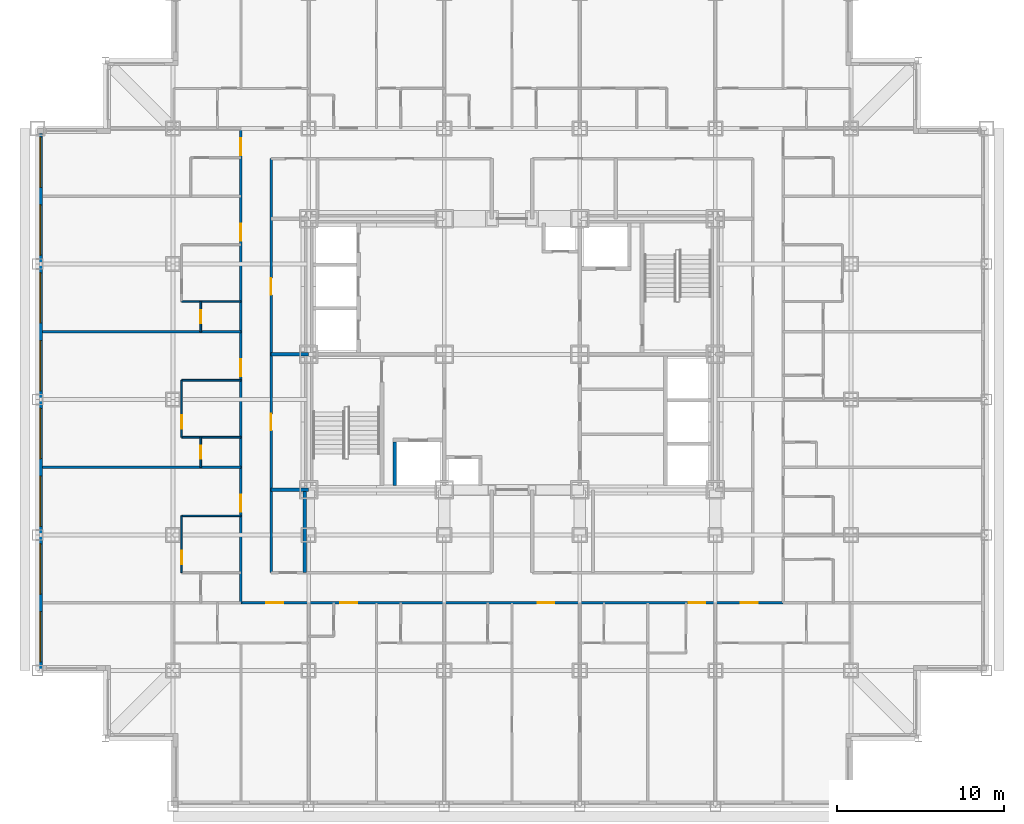
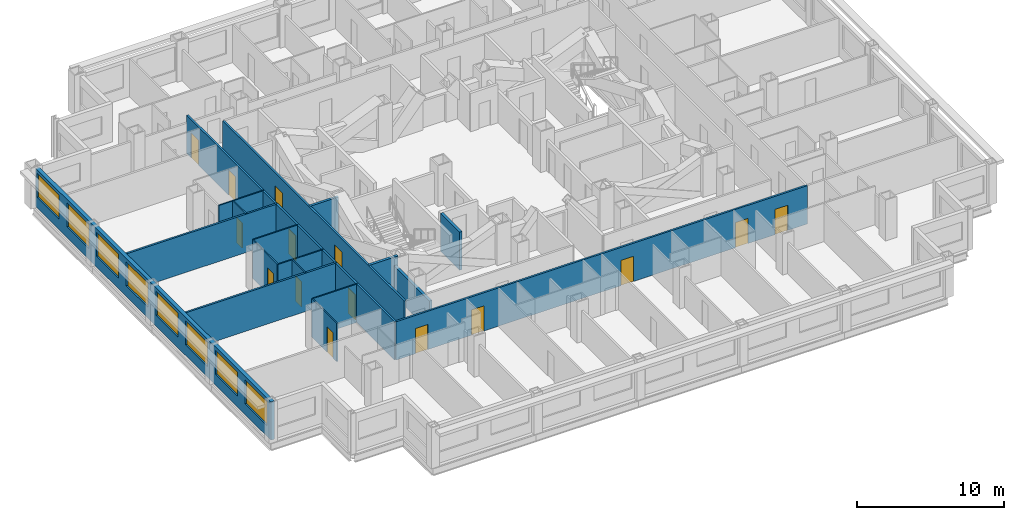
# One storey, part 5 of 12: 18 walls, 15 doors, 8 windows, 23 openings.
"""IFC4 building model written with IfcOpenShell, lengths in metres."""

from ifc_helpers import new_model, si_unit, direction, frame, frame_2d, origin, place, context, subcontext, project, spatial, rectangle, extrude, material, layer, layer_set, type_object, element, fill, save


model = new_model("IFC4")

# Units and contexts
model_context = context("Model", 3, precision=1e-05, world=origin(), true_north=direction((0.0, 1.0)))
body_context = subcontext(model_context, "Body", "Model", "MODEL_VIEW")
ifc_project = project(units=[si_unit("LENGTHUNIT", "METRE"), si_unit("AREAUNIT", "SQUARE_METRE"), si_unit("VOLUMEUNIT", "CUBIC_METRE"), si_unit("PLANEANGLEUNIT", "RADIAN"), si_unit("MASSUNIT", "GRAM", prefix="KILO")], contexts=[model_context])

# Site, building, storey
site_placement = place(None, origin())
site = spatial("IfcSite", under=ifc_project, at=site_placement, CompositionType="ELEMENT")
building_placement = place(site_placement, origin())
building = spatial("IfcBuilding", under=site, at=building_placement, Name="Kopane Lantern Tower", CompositionType="ELEMENT")
storey_placement = place(building_placement, frame((0.0, 0.0, 117.0)))
storey = spatial("IfcBuildingStorey", under=building, at=storey_placement, Name="L29", CompositionType="ELEMENT", Elevation=117.0)

# Wall, opening, door
ifc_material_1 = material(Name="Moisture-resistant board on steel studs", Category="steel")
ifc_layer_1 = layer(ifc_material_1, 0.10009765625)
ifc_layer_set_1 = layer_set([ifc_layer_1], Name="BATHROOM WALL 100")
wall_type_1 = type_object("IfcWallType", Name="BATHROOM WALL 100", PredefinedType="PARTITIONING", material=ifc_layer_set_1)
wall_1_placement = place(storey_placement, frame((8.610107421875, 19.35009765625, 0.0), z_axis=(0.0, 0.0, 1.0), x_axis=(0.0, 1.0, 0.0)))
wall_1 = element("IfcWall", 1, at=wall_1_placement, inside=storey, type_object=wall_type_1, Name="Bathroom Wall 100 L29", PredefinedType="PARTITIONING", context=body_context, shape_type="SweptSolid", body=[
    extrude(rectangle(XDim=3.39990234375, YDim=0.10009765625, at=frame_2d((1.699951171875, 0.0))), origin(), (0.0, 0.0, 1.0), 3.18994140625),
])
opening_1_placement = place(wall_1_placement, frame((0.5, 0.0, 0.0)))
opening_1 = element("IfcOpeningElement", 2, at=opening_1_placement, cuts=wall_1, Name="Opening L29-035", PredefinedType="OPENING", context=body_context, shape_type="SweptSolid", body=[
    extrude(rectangle(XDim=0.800048828125, YDim=2.10009765625, at=frame_2d((0.39990234375, 1.050048828125))), frame((0.0, 0.06005859375, 0.0), z_axis=(0.0, -1.0, 0.0), x_axis=(1.0, 0.0, 0.0)), (0.0, 0.0, 1.0), 0.1201171875),
])
ifc_material_2 = material(Name="Timber door set", Category="wood")
door_type_1 = type_object("IfcDoorType", Name="DOOR D2 800x2100", OperationType="SINGLE_SWING_LEFT", PredefinedType="DOOR", material=ifc_material_2)
door_1_placement = place(opening_1_placement, origin())
door_1 = element("IfcDoor", 3, at=door_1_placement, inside=storey, type_object=door_type_1, Name="Door L29-035", OperationType="SINGLE_SWING_RIGHT", OverallHeight=2.10009765625, OverallWidth=0.800048828125, PredefinedType="DOOR", context=body_context, shape_type="SweptSolid", body=[
    extrude(rectangle(XDim=0.800048828125, YDim=2.10009765625, at=frame_2d((0.39990234375, 1.050048828125))), frame((0.0, 0.02490234375, 0.0), z_axis=(0.0, -1.0, 0.0), x_axis=(1.0, 0.0, 0.0)), (0.0, 0.0, 1.0), 0.050048828125),
])
fill(opening_1, door_1)

# Wall
wall_2_placement = place(storey_placement, frame((12.14990234375, 22.75, 0.0), z_axis=(0.0, 0.0, 1.0), x_axis=(-1.0, 0.0, 0.0)))
element("IfcWall", 4, at=wall_2_placement, inside=storey, type_object=wall_type_1, Name="Bathroom Wall 100 L29", PredefinedType="PARTITIONING", context=body_context, shape_type="SweptSolid", body=[
    extrude(rectangle(XDim=3.539794921875, YDim=0.10009765625, at=frame_2d((1.77001953125, 0.0))), origin(), (0.0, 0.0, 1.0), 3.18994140625),
])

# Wall, opening, door
wall_3_placement = place(storey_placement, frame((8.610107421875, 27.449951171875, 0.0), z_axis=(0.0, 0.0, 1.0), x_axis=(0.0, 1.0, 0.0)))
wall_3 = element("IfcWall", 5, at=wall_3_placement, inside=storey, type_object=wall_type_1, Name="Bathroom Wall 100 L29", PredefinedType="PARTITIONING", context=body_context, shape_type="SweptSolid", body=[
    extrude(rectangle(XDim=3.400146484375, YDim=0.10009765625, at=frame_2d((1.7001953125, 0.0))), origin(), (0.0, 0.0, 1.0), 3.18994140625),
])
opening_2_placement = place(wall_3_placement, frame((0.5, 0.0, 0.0)))
opening_2 = element("IfcOpeningElement", 6, at=opening_2_placement, cuts=wall_3, Name="Opening L29-038", PredefinedType="OPENING", context=body_context, shape_type="SweptSolid", body=[
    extrude(rectangle(XDim=0.800048828125, YDim=2.10009765625, at=frame_2d((0.39990234375, 1.050048828125))), frame((0.0, 0.06005859375, 0.0), z_axis=(0.0, -1.0, 0.0), x_axis=(1.0, 0.0, 0.0)), (0.0, 0.0, 1.0), 0.1201171875),
])
door_2_placement = place(opening_2_placement, origin())
door_2 = element("IfcDoor", 7, at=door_2_placement, inside=storey, type_object=door_type_1, Name="Door L29-038", OperationType="SINGLE_SWING_RIGHT", OverallHeight=2.10009765625, OverallWidth=0.800048828125, PredefinedType="DOOR", context=body_context, shape_type="SweptSolid", body=[
    extrude(rectangle(XDim=0.800048828125, YDim=2.10009765625, at=frame_2d((0.39990234375, 1.050048828125))), frame((0.0, 0.02490234375, 0.0), z_axis=(0.0, -1.0, 0.0), x_axis=(1.0, 0.0, 0.0)), (0.0, 0.0, 1.0), 0.050048828125),
])
fill(opening_2, door_2)

wall_4_placement = place(storey_placement, frame((9.75, 25.64990234375, 0.0), z_axis=(0.0, 0.0, 1.0), x_axis=(0.0, 1.0, 0.0)))
wall_4 = element("IfcWall", 8, at=wall_4_placement, inside=storey, type_object=wall_type_1, Name="Bathroom Wall 100 L29", PredefinedType="PARTITIONING", context=body_context, shape_type="SweptSolid", body=[
    extrude(rectangle(XDim=1.800048828125, YDim=0.10009765625, at=frame_2d((0.89990234375, 0.0))), origin(), (0.0, 0.0, 1.0), 3.18994140625),
])
opening_3_placement = place(wall_4_placement, frame((0.5, 0.0, 0.0)))
opening_3 = element("IfcOpeningElement", 9, at=opening_3_placement, cuts=wall_4, Name="Opening L29-039", PredefinedType="OPENING", context=body_context, shape_type="SweptSolid", body=[
    extrude(rectangle(XDim=0.800048828125, YDim=2.10009765625, at=frame_2d((0.39990234375, 1.050048828125))), frame((0.0, 0.06005859375, 0.0), z_axis=(0.0, -1.0, 0.0), x_axis=(1.0, 0.0, 0.0)), (0.0, 0.0, 1.0), 0.1201171875),
])
door_3_placement = place(opening_3_placement, origin())
door_3 = element("IfcDoor", 10, at=door_3_placement, inside=storey, type_object=door_type_1, Name="Door L29-039", OperationType="SINGLE_SWING_RIGHT", OverallHeight=2.10009765625, OverallWidth=0.800048828125, PredefinedType="DOOR", context=body_context, shape_type="SweptSolid", body=[
    extrude(rectangle(XDim=0.800048828125, YDim=2.10009765625, at=frame_2d((0.39990234375, 1.050048828125))), frame((0.0, 0.02490234375, 0.0), z_axis=(0.0, -1.0, 0.0), x_axis=(1.0, 0.0, 0.0)), (0.0, 0.0, 1.0), 0.050048828125),
])
fill(opening_3, door_3)

# Walls
for number, where, z_axis, x_axis, name in (
    (11, (12.14990234375, 27.449951171875, 0.0), (0.0, 0.0, 1.0), (-1.0, 0.0, 0.0), "Bathroom Wall 100 L29"),
    (12, (12.14990234375, 30.85009765625, 0.0), (0.0, 0.0, 1.0), (-1.0, 0.0, 0.0), "Bathroom Wall 100 L29"),
):
    element("IfcWall", number, at=place(storey_placement, frame(where, z_axis=z_axis, x_axis=x_axis)), inside=storey, type_object=wall_type_1, Name=name, PredefinedType="PARTITIONING", context=body_context, shape_type="SweptSolid", body=[
        extrude(rectangle(XDim=3.539794921875, YDim=0.10009765625, at=frame_2d((1.77001953125, 0.0))), origin(), (0.0, 0.0, 1.0), 3.18994140625),
    ])

# Wall, opening, door
wall_5_placement = place(storey_placement, frame((9.75, 33.75, 0.0), z_axis=(0.0, 0.0, 1.0), x_axis=(0.0, 1.0, 0.0)))
wall_5 = element("IfcWall", 13, at=wall_5_placement, inside=storey, type_object=wall_type_1, Name="Bathroom Wall 100 L29", PredefinedType="PARTITIONING", context=body_context, shape_type="SweptSolid", body=[
    extrude(rectangle(XDim=1.800048828125, YDim=0.10009765625, at=frame_2d((0.89990234375, 0.0))), origin(), (0.0, 0.0, 1.0), 3.18994140625),
])
opening_4_placement = place(wall_5_placement, frame((0.5, 0.0, 0.0)))
opening_4 = element("IfcOpeningElement", 14, at=opening_4_placement, cuts=wall_5, Name="Opening L29-042", PredefinedType="OPENING", context=body_context, shape_type="SweptSolid", body=[
    extrude(rectangle(XDim=0.800048828125, YDim=2.10009765625, at=frame_2d((0.39990234375, 1.050048828125))), frame((0.0, 0.06005859375, 0.0), z_axis=(0.0, -1.0, 0.0), x_axis=(1.0, 0.0, 0.0)), (0.0, 0.0, 1.0), 0.1201171875),
])
door_4_placement = place(opening_4_placement, origin())
door_4 = element("IfcDoor", 15, at=door_4_placement, inside=storey, type_object=door_type_1, Name="Door L29-042", OperationType="SINGLE_SWING_RIGHT", OverallHeight=2.10009765625, OverallWidth=0.800048828125, PredefinedType="DOOR", context=body_context, shape_type="SweptSolid", body=[
    extrude(rectangle(XDim=0.800048828125, YDim=2.10009765625, at=frame_2d((0.39990234375, 1.050048828125))), frame((0.0, 0.02490234375, 0.0), z_axis=(0.0, -1.0, 0.0), x_axis=(1.0, 0.0, 0.0)), (0.0, 0.0, 1.0), 0.050048828125),
])
fill(opening_4, door_4)

# Wall
wall_6_placement = place(storey_placement, frame((12.14990234375, 35.550048828125, 0.0), z_axis=(0.0, 0.0, 1.0), x_axis=(-1.0, 0.0, 0.0)))
element("IfcWall", 16, at=wall_6_placement, inside=storey, type_object=wall_type_1, Name="Bathroom Wall 100 L29", PredefinedType="PARTITIONING", context=body_context, shape_type="SweptSolid", body=[
    extrude(rectangle(XDim=3.539794921875, YDim=0.10009765625, at=frame_2d((1.77001953125, 0.0))), origin(), (0.0, 0.0, 1.0), 3.18994140625),
])

# Wall, openings, doors
ifc_material_3 = material(Name="Gypsum board on steel studs", Category="steel")
ifc_layer_2 = layer(ifc_material_3, 0.14990234375)
ifc_layer_set_2 = layer_set([ifc_layer_2], Name="CORRIDOR WALL 150 EI 60")
wall_type_2 = type_object("IfcWallType", Name="CORRIDOR WALL 150 EI 60", PredefinedType="PARTITIONING", material=ifc_layer_set_2)
wall_7_placement = place(storey_placement, frame((12.14990234375, 17.550048828125, 0.0), z_axis=(0.0, 0.0, 1.0), x_axis=(1.0, 0.0, 0.0)))
wall_7 = element("IfcWall", 17, at=wall_7_placement, inside=storey, type_object=wall_type_2, Name="Corridor Wall 150 Ei 60 L29", PredefinedType="PARTITIONING", context=body_context, shape_type="SweptSolid", body=[
    extrude(rectangle(XDim=32.400146484375, YDim=0.14990234375, at=frame_2d((16.2001953125, 0.0))), origin(), (0.0, 0.0, 1.0), 3.18994140625),
])
opening_5_placement = place(wall_7_placement, frame((5.949951171875, 0.0, 0.0)))
opening_5 = element("IfcOpeningElement", 18, at=opening_5_placement, cuts=wall_7, Name="Opening L29-014", PredefinedType="OPENING", context=body_context, shape_type="SweptSolid", body=[
    extrude(rectangle(XDim=1.0, YDim=2.10009765625, at=frame_2d((0.5, 1.050048828125))), frame((0.0, 0.0849609375, 0.0), z_axis=(0.0, -1.0, 0.0), x_axis=(1.0, 0.0, 0.0)), (0.0, 0.0, 1.0), 0.169921875),
])
opening_6_placement = place(wall_7_placement, frame((17.72509765625, 0.0, 0.0)))
opening_6 = element("IfcOpeningElement", 19, at=opening_6_placement, cuts=wall_7, Name="Opening L29-017", PredefinedType="OPENING", context=body_context, shape_type="SweptSolid", body=[
    extrude(rectangle(XDim=1.0, YDim=2.10009765625, at=frame_2d((0.5, 1.050048828125))), frame((0.0, 0.0849609375, 0.0), z_axis=(0.0, -1.0, 0.0), x_axis=(1.0, 0.0, 0.0)), (0.0, 0.0, 1.0), 0.169921875),
])
opening_7_placement = place(wall_7_placement, frame((26.75, 0.0, 0.0)))
opening_7 = element("IfcOpeningElement", 20, at=opening_7_placement, cuts=wall_7, Name="Opening L29-023", PredefinedType="OPENING", context=body_context, shape_type="SweptSolid", body=[
    extrude(rectangle(XDim=1.0, YDim=2.10009765625, at=frame_2d((0.5, 1.050048828125))), frame((0.0, 0.0849609375, 0.0), z_axis=(0.0, -1.0, 0.0), x_axis=(1.0, 0.0, 0.0)), (0.0, 0.0, 1.0), 0.169921875),
])
opening_8_placement = place(wall_7_placement, frame((1.52490234375, 0.0, 0.0)))
opening_8 = element("IfcOpeningElement", 21, at=opening_8_placement, cuts=wall_7, Name="Opening L29-059", PredefinedType="OPENING", context=body_context, shape_type="SweptSolid", body=[
    extrude(rectangle(XDim=1.0, YDim=2.10009765625, at=frame_2d((0.5, 1.050048828125))), frame((0.0, 0.0849609375, 0.0), z_axis=(0.0, -1.0, 0.0), x_axis=(1.0, 0.0, 0.0)), (0.0, 0.0, 1.0), 0.169921875),
])
opening_9_placement = place(wall_7_placement, frame((29.875, 0.0, 0.0)))
opening_9 = element("IfcOpeningElement", 22, at=opening_9_placement, cuts=wall_7, Name="Opening L29-063", PredefinedType="OPENING", context=body_context, shape_type="SweptSolid", body=[
    extrude(rectangle(XDim=1.0, YDim=2.10009765625, at=frame_2d((0.5, 1.050048828125))), frame((0.0, 0.0849609375, 0.0), z_axis=(0.0, -1.0, 0.0), x_axis=(1.0, 0.0, 0.0)), (0.0, 0.0, 1.0), 0.169921875),
])
ifc_material_4 = material(Name="Steel door set", Category="steel")
door_type_2 = type_object("IfcDoorType", Name="DOOR D1 1000x2100 FD30S", OperationType="SINGLE_SWING_LEFT", PredefinedType="DOOR", material=ifc_material_4)
door_5_placement = place(opening_5_placement, origin())
door_5 = element("IfcDoor", 23, at=door_5_placement, inside=storey, type_object=door_type_2, Name="Door L29-014", OperationType="SINGLE_SWING_RIGHT", OverallHeight=2.10009765625, OverallWidth=1.0, PredefinedType="DOOR", context=body_context, shape_type="SweptSolid", body=[
    extrude(rectangle(XDim=1.0, YDim=2.10009765625, at=frame_2d((0.5, 1.050048828125))), frame((0.0, 0.02490234375, 0.0), z_axis=(0.0, -1.0, 0.0), x_axis=(1.0, 0.0, 0.0)), (0.0, 0.0, 1.0), 0.050048828125),
])
fill(opening_5, door_5)
door_6_placement = place(opening_6_placement, origin())
door_6 = element("IfcDoor", 24, at=door_6_placement, inside=storey, type_object=door_type_2, Name="Door L29-017", OperationType="SINGLE_SWING_RIGHT", OverallHeight=2.10009765625, OverallWidth=1.0, PredefinedType="DOOR", context=body_context, shape_type="SweptSolid", body=[
    extrude(rectangle(XDim=1.0, YDim=2.10009765625, at=frame_2d((0.5, 1.050048828125))), frame((0.0, 0.02490234375, 0.0), z_axis=(0.0, -1.0, 0.0), x_axis=(1.0, 0.0, 0.0)), (0.0, 0.0, 1.0), 0.050048828125),
])
fill(opening_6, door_6)
door_7_placement = place(opening_7_placement, origin())
door_7 = element("IfcDoor", 25, at=door_7_placement, inside=storey, type_object=door_type_2, Name="Door L29-023", OperationType="SINGLE_SWING_RIGHT", OverallHeight=2.10009765625, OverallWidth=1.0, PredefinedType="DOOR", context=body_context, shape_type="SweptSolid", body=[
    extrude(rectangle(XDim=1.0, YDim=2.10009765625, at=frame_2d((0.5, 1.050048828125))), frame((0.0, 0.02490234375, 0.0), z_axis=(0.0, -1.0, 0.0), x_axis=(1.0, 0.0, 0.0)), (0.0, 0.0, 1.0), 0.050048828125),
])
fill(opening_7, door_7)
door_8_placement = place(opening_8_placement, origin())
door_8 = element("IfcDoor", 26, at=door_8_placement, inside=storey, type_object=door_type_2, Name="Door L29-059", OperationType="SINGLE_SWING_LEFT", OverallHeight=2.10009765625, OverallWidth=1.0, PredefinedType="DOOR", context=body_context, shape_type="SweptSolid", body=[
    extrude(rectangle(XDim=1.0, YDim=2.10009765625, at=frame_2d((0.5, 1.050048828125))), frame((0.0, 0.02490234375, 0.0), z_axis=(0.0, -1.0, 0.0), x_axis=(1.0, 0.0, 0.0)), (0.0, 0.0, 1.0), 0.050048828125),
])
fill(opening_8, door_8)
door_9_placement = place(opening_9_placement, origin())
door_9 = element("IfcDoor", 27, at=door_9_placement, inside=storey, type_object=door_type_2, Name="Door L29-063", OperationType="SINGLE_SWING_RIGHT", OverallHeight=2.10009765625, OverallWidth=1.0, PredefinedType="DOOR", context=body_context, shape_type="SweptSolid", body=[
    extrude(rectangle(XDim=1.0, YDim=2.10009765625, at=frame_2d((0.5, 1.050048828125))), frame((0.0, 0.02490234375, 0.0), z_axis=(0.0, -1.0, 0.0), x_axis=(1.0, 0.0, 0.0)), (0.0, 0.0, 1.0), 0.050048828125),
])
fill(opening_9, door_9)

wall_8_placement = place(storey_placement, frame((12.14990234375, 17.550048828125, 0.0), z_axis=(0.0, 0.0, 1.0), x_axis=(0.0, 1.0, 0.0)))
wall_8 = element("IfcWall", 28, at=wall_8_placement, inside=storey, type_object=wall_type_2, Name="Corridor Wall 150 Ei 60 L29", PredefinedType="PARTITIONING", context=body_context, shape_type="SweptSolid", body=[
    extrude(rectangle(XDim=28.349853515625, YDim=0.14990234375, at=frame_2d((14.1748046875, 0.0))), origin(), (0.0, 0.0, 1.0), 3.18994140625),
])
opening_10_placement = place(wall_8_placement, frame((5.449951171875, 0.0, 0.0)))
opening_10 = element("IfcOpeningElement", 29, at=opening_10_placement, cuts=wall_8, Name="Opening L29-037", PredefinedType="OPENING", context=body_context, shape_type="SweptSolid", body=[
    extrude(rectangle(XDim=1.0, YDim=2.10009765625, at=frame_2d((0.5, 1.050048828125))), frame((0.0, 0.0849609375, 0.0), z_axis=(0.0, -1.0, 0.0), x_axis=(1.0, 0.0, 0.0)), (0.0, 0.0, 1.0), 0.169921875),
])
opening_11_placement = place(wall_8_placement, frame((13.550048828125, 0.0, 0.0)))
opening_11 = element("IfcOpeningElement", 30, at=opening_11_placement, cuts=wall_8, Name="Opening L29-040", PredefinedType="OPENING", context=body_context, shape_type="SweptSolid", body=[
    extrude(rectangle(XDim=1.0, YDim=2.10009765625, at=frame_2d((0.5, 1.050048828125))), frame((0.0, 0.0849609375, 0.0), z_axis=(0.0, -1.0, 0.0), x_axis=(1.0, 0.0, 0.0)), (0.0, 0.0, 1.0), 0.169921875),
])
opening_12_placement = place(wall_8_placement, frame((21.64990234375, 0.0, 0.0)))
opening_12 = element("IfcOpeningElement", 31, at=opening_12_placement, cuts=wall_8, Name="Opening L29-043", PredefinedType="OPENING", context=body_context, shape_type="SweptSolid", body=[
    extrude(rectangle(XDim=1.0, YDim=2.10009765625, at=frame_2d((0.5, 1.050048828125))), frame((0.0, 0.0849609375, 0.0), z_axis=(0.0, -1.0, 0.0), x_axis=(1.0, 0.0, 0.0)), (0.0, 0.0, 1.0), 0.169921875),
])
opening_13_placement = place(wall_8_placement, frame((26.75, 0.0, 0.0)))
opening_13 = element("IfcOpeningElement", 32, at=opening_13_placement, cuts=wall_8, Name="Opening L29-045", PredefinedType="OPENING", context=body_context, shape_type="SweptSolid", body=[
    extrude(rectangle(XDim=1.0, YDim=2.10009765625, at=frame_2d((0.5, 1.050048828125))), frame((0.0, 0.0849609375, 0.0), z_axis=(0.0, -1.0, 0.0), x_axis=(1.0, 0.0, 0.0)), (0.0, 0.0, 1.0), 0.169921875),
])
door_10_placement = place(opening_10_placement, origin())
door_10 = element("IfcDoor", 33, at=door_10_placement, inside=storey, type_object=door_type_2, Name="Door L29-037", OperationType="SINGLE_SWING_LEFT", OverallHeight=2.10009765625, OverallWidth=1.0, PredefinedType="DOOR", context=body_context, shape_type="SweptSolid", body=[
    extrude(rectangle(XDim=1.0, YDim=2.10009765625, at=frame_2d((0.5, 1.050048828125))), frame((0.0, 0.02490234375, 0.0), z_axis=(0.0, -1.0, 0.0), x_axis=(1.0, 0.0, 0.0)), (0.0, 0.0, 1.0), 0.050048828125),
])
fill(opening_10, door_10)
door_11_placement = place(opening_11_placement, origin())
door_11 = element("IfcDoor", 34, at=door_11_placement, inside=storey, type_object=door_type_2, Name="Door L29-040", OperationType="SINGLE_SWING_LEFT", OverallHeight=2.10009765625, OverallWidth=1.0, PredefinedType="DOOR", context=body_context, shape_type="SweptSolid", body=[
    extrude(rectangle(XDim=1.0, YDim=2.10009765625, at=frame_2d((0.5, 1.050048828125))), frame((0.0, 0.02490234375, 0.0), z_axis=(0.0, -1.0, 0.0), x_axis=(1.0, 0.0, 0.0)), (0.0, 0.0, 1.0), 0.050048828125),
])
fill(opening_11, door_11)
door_12_placement = place(opening_12_placement, origin())
door_12 = element("IfcDoor", 35, at=door_12_placement, inside=storey, type_object=door_type_2, Name="Door L29-043", OperationType="SINGLE_SWING_LEFT", OverallHeight=2.10009765625, OverallWidth=1.0, PredefinedType="DOOR", context=body_context, shape_type="SweptSolid", body=[
    extrude(rectangle(XDim=1.0, YDim=2.10009765625, at=frame_2d((0.5, 1.050048828125))), frame((0.0, 0.02490234375, 0.0), z_axis=(0.0, -1.0, 0.0), x_axis=(1.0, 0.0, 0.0)), (0.0, 0.0, 1.0), 0.050048828125),
])
fill(opening_12, door_12)
door_13_placement = place(opening_13_placement, origin())
door_13 = element("IfcDoor", 36, at=door_13_placement, inside=storey, type_object=door_type_2, Name="Door L29-045", OperationType="SINGLE_SWING_LEFT", OverallHeight=2.10009765625, OverallWidth=1.0, PredefinedType="DOOR", context=body_context, shape_type="SweptSolid", body=[
    extrude(rectangle(XDim=1.0, YDim=2.10009765625, at=frame_2d((0.5, 1.050048828125))), frame((0.0, 0.02490234375, 0.0), z_axis=(0.0, -1.0, 0.0), x_axis=(1.0, 0.0, 0.0)), (0.0, 0.0, 1.0), 0.050048828125),
])
fill(opening_13, door_13)

wall_9_placement = place(storey_placement, frame((13.949951171875, 44.10009765625, 0.0), z_axis=(0.0, 0.0, 1.0), x_axis=(0.0, -1.0, 0.0)))
wall_9 = element("IfcWall", 37, at=wall_9_placement, inside=storey, type_object=wall_type_2, Name="Corridor Wall 150 Ei 60 L29", PredefinedType="PARTITIONING", context=body_context, shape_type="SweptSolid", body=[
    extrude(rectangle(XDim=24.75, YDim=0.14990234375, at=frame_2d((12.375, 0.0))), origin(), (0.0, 0.0, 1.0), 3.18994140625),
])
opening_14_placement = place(wall_9_placement, frame((15.25, 0.0, 0.0)))
opening_14 = element("IfcOpeningElement", 38, at=opening_14_placement, cuts=wall_9, Name="Opening L29-001", PredefinedType="OPENING", context=body_context, shape_type="SweptSolid", body=[
    extrude(rectangle(XDim=1.0, YDim=2.10009765625, at=frame_2d((0.5, 1.050048828125))), frame((0.0, 0.0849609375, 0.0), z_axis=(0.0, -1.0, 0.0), x_axis=(1.0, 0.0, 0.0)), (0.0, 0.0, 1.0), 0.169921875),
])
opening_15_placement = place(wall_9_placement, frame((7.14990234375, 0.0, 0.0)))
opening_15 = element("IfcOpeningElement", 39, at=opening_15_placement, cuts=wall_9, Name="Opening L29-002", PredefinedType="OPENING", context=body_context, shape_type="SweptSolid", body=[
    extrude(rectangle(XDim=1.0, YDim=2.10009765625, at=frame_2d((0.5, 1.050048828125))), frame((0.0, 0.0849609375, 0.0), z_axis=(0.0, -1.0, 0.0), x_axis=(1.0, 0.0, 0.0)), (0.0, 0.0, 1.0), 0.169921875),
])
ifc_material_5 = material(Name="Steel door set", Category="steel")
door_type_3 = type_object("IfcDoorType", Name="DOOR D5 1000x2100 FD60", OperationType="SINGLE_SWING_LEFT", PredefinedType="DOOR", material=ifc_material_5)
door_14_placement = place(opening_14_placement, origin())
door_14 = element("IfcDoor", 40, at=door_14_placement, inside=storey, type_object=door_type_3, Name="Door L29-001", OperationType="SINGLE_SWING_RIGHT", OverallHeight=2.10009765625, OverallWidth=1.0, PredefinedType="DOOR", context=body_context, shape_type="SweptSolid", body=[
    extrude(rectangle(XDim=1.0, YDim=2.10009765625, at=frame_2d((0.5, 1.050048828125))), frame((0.0, 0.02490234375, 0.0), z_axis=(0.0, -1.0, 0.0), x_axis=(1.0, 0.0, 0.0)), (0.0, 0.0, 1.0), 0.050048828125),
])
fill(opening_14, door_14)
door_15_placement = place(opening_15_placement, origin())
door_15 = element("IfcDoor", 41, at=door_15_placement, inside=storey, type_object=door_type_3, Name="Door L29-002", OperationType="SINGLE_SWING_LEFT", OverallHeight=2.10009765625, OverallWidth=1.0, PredefinedType="DOOR", context=body_context, shape_type="SweptSolid", body=[
    extrude(rectangle(XDim=1.0, YDim=2.10009765625, at=frame_2d((0.5, 1.050048828125))), frame((0.0, 0.02490234375, 0.0), z_axis=(0.0, -1.0, 0.0), x_axis=(1.0, 0.0, 0.0)), (0.0, 0.0, 1.0), 0.050048828125),
])
fill(opening_15, door_15)

# Walls
ifc_material_6 = material(Name="Gypsum board on steel studs", Category="steel")
ifc_layer_3 = layer(ifc_material_6, 0.14990234375)
ifc_layer_set_3 = layer_set([ifc_layer_3], Name="DEMISING WALL 150 EI 60")
wall_type_3 = type_object("IfcWallType", Name="DEMISING WALL 150 EI 60", PredefinedType="PARTITIONING", material=ifc_layer_set_3)
for number, where, z_axis, x_axis, name in (
    (42, (12.14990234375, 25.64990234375, 0.0), (0.0, 0.0, 1.0), (-1.0, 0.0, 0.0), "Demising Wall 150 Ei 60 L29"),
    (43, (12.14990234375, 33.75, 0.0), (0.0, 0.0, 1.0), (-1.0, 0.0, 0.0), "Demising Wall 150 Ei 60 L29"),
):
    element("IfcWall", number, at=place(storey_placement, frame(where, z_axis=z_axis, x_axis=x_axis)), inside=storey, type_object=wall_type_3, Name=name, PredefinedType="PARTITIONING", context=body_context, shape_type="SweptSolid", body=[
        extrude(rectangle(XDim=11.849853515625, YDim=0.14990234375, at=frame_2d((5.9248046875, 0.0))), origin(), (0.0, 0.0, 1.0), 3.18994140625),
    ])

# Wall, openings, windows
ifc_material_7 = material(Name="Terracotta rainscreen on light steel framing", Category="masonry")
ifc_layer_4 = layer(ifc_material_7, 0.300048828125)
ifc_layer_set_4 = layer_set([ifc_layer_4], Name="EXTERNAL WALL EW1 300 TERRACOTTA")
wall_type_4 = type_object("IfcWallType", Name="EXTERNAL WALL EW1 300 TERRACOTTA", PredefinedType="SOLIDWALL", material=ifc_layer_set_4)
wall_10_placement = place(storey_placement, frame((0.14990234375, 45.60009765625, 0.0), z_axis=(0.0, 0.0, 1.0), x_axis=(0.0, -1.0, 0.0)))
wall_10 = element("IfcWall", 44, at=wall_10_placement, inside=storey, type_object=wall_type_4, Name="External wall W L29", PredefinedType="SOLIDWALL", context=body_context, shape_type="SweptSolid", body=[
    extrude(rectangle(XDim=32.10009765625, YDim=0.300048828125, at=frame_2d((16.050048828125, 0.0))), origin(), (0.0, 0.0, 1.0), 3.18994140625),
])
opening_16_placement = place(wall_10_placement, frame((0.22509765625, 0.0, 0.89990234375)))
opening_16 = element("IfcOpeningElement", 45, at=opening_16_placement, cuts=wall_10, Name="Opening WR300200", PredefinedType="OPENING", context=body_context, shape_type="SweptSolid", body=[
    extrude(rectangle(XDim=3.0, YDim=2.0, at=frame_2d((1.5, 1.0))), frame((0.0, 0.159912109375, 0.0), z_axis=(0.0, -1.0, 0.0), x_axis=(1.0, 0.0, 0.0)), (0.0, 0.0, 1.0), 0.320068359375),
])
opening_17_placement = place(wall_10_placement, frame((4.27490234375, 0.0, 0.89990234375)))
opening_17 = element("IfcOpeningElement", 46, at=opening_17_placement, cuts=wall_10, Name="Opening WR300200", PredefinedType="OPENING", context=body_context, shape_type="SweptSolid", body=[
    extrude(rectangle(XDim=3.0, YDim=2.0, at=frame_2d((1.5, 1.0))), frame((0.0, 0.159912109375, 0.0), z_axis=(0.0, -1.0, 0.0), x_axis=(1.0, 0.0, 0.0)), (0.0, 0.0, 1.0), 0.320068359375),
])
opening_18_placement = place(wall_10_placement, frame((8.324951171875, 0.0, 0.89990234375)))
opening_18 = element("IfcOpeningElement", 47, at=opening_18_placement, cuts=wall_10, Name="Opening WR300200", PredefinedType="OPENING", context=body_context, shape_type="SweptSolid", body=[
    extrude(rectangle(XDim=3.0, YDim=2.0, at=frame_2d((1.5, 1.0))), frame((0.0, 0.159912109375, 0.0), z_axis=(0.0, -1.0, 0.0), x_axis=(1.0, 0.0, 0.0)), (0.0, 0.0, 1.0), 0.320068359375),
])
opening_19_placement = place(wall_10_placement, frame((12.375, 0.0, 0.89990234375)))
opening_19 = element("IfcOpeningElement", 48, at=opening_19_placement, cuts=wall_10, Name="Opening WR300200", PredefinedType="OPENING", context=body_context, shape_type="SweptSolid", body=[
    extrude(rectangle(XDim=3.0, YDim=2.0, at=frame_2d((1.5, 1.0))), frame((0.0, 0.159912109375, 0.0), z_axis=(0.0, -1.0, 0.0), x_axis=(1.0, 0.0, 0.0)), (0.0, 0.0, 1.0), 0.320068359375),
])
opening_20_placement = place(wall_10_placement, frame((16.425048828125, 0.0, 0.89990234375)))
opening_20 = element("IfcOpeningElement", 49, at=opening_20_placement, cuts=wall_10, Name="Opening WR300200", PredefinedType="OPENING", context=body_context, shape_type="SweptSolid", body=[
    extrude(rectangle(XDim=3.0, YDim=2.0, at=frame_2d((1.5, 1.0))), frame((0.0, 0.159912109375, 0.0), z_axis=(0.0, -1.0, 0.0), x_axis=(1.0, 0.0, 0.0)), (0.0, 0.0, 1.0), 0.320068359375),
])
opening_21_placement = place(wall_10_placement, frame((20.47509765625, 0.0, 0.89990234375)))
opening_21 = element("IfcOpeningElement", 50, at=opening_21_placement, cuts=wall_10, Name="Opening WR300200", PredefinedType="OPENING", context=body_context, shape_type="SweptSolid", body=[
    extrude(rectangle(XDim=3.0, YDim=2.0, at=frame_2d((1.5, 1.0))), frame((0.0, 0.159912109375, 0.0), z_axis=(0.0, -1.0, 0.0), x_axis=(1.0, 0.0, 0.0)), (0.0, 0.0, 1.0), 0.320068359375),
])
opening_22_placement = place(wall_10_placement, frame((24.52490234375, 0.0, 0.89990234375)))
opening_22 = element("IfcOpeningElement", 51, at=opening_22_placement, cuts=wall_10, Name="Opening WR300200", PredefinedType="OPENING", context=body_context, shape_type="SweptSolid", body=[
    extrude(rectangle(XDim=3.0, YDim=2.0, at=frame_2d((1.5, 1.0))), frame((0.0, 0.159912109375, 0.0), z_axis=(0.0, -1.0, 0.0), x_axis=(1.0, 0.0, 0.0)), (0.0, 0.0, 1.0), 0.320068359375),
])
opening_23_placement = place(wall_10_placement, frame((28.574951171875, 0.0, 0.89990234375)))
opening_23 = element("IfcOpeningElement", 52, at=opening_23_placement, cuts=wall_10, Name="Opening WR300200", PredefinedType="OPENING", context=body_context, shape_type="SweptSolid", body=[
    extrude(rectangle(XDim=3.0, YDim=2.0, at=frame_2d((1.5, 1.0))), frame((0.0, 0.159912109375, 0.0), z_axis=(0.0, -1.0, 0.0), x_axis=(1.0, 0.0, 0.0)), (0.0, 0.0, 1.0), 0.320068359375),
])
ifc_material_8 = material(Name="Aluminium and clear glass", Category="aluminium")
window_type = type_object("IfcWindowType", Name="RIBBON WINDOW WR300200 3000x2000", PartitioningType="SINGLE_PANEL", PredefinedType="WINDOW", material=ifc_material_8)
window_1_placement = place(opening_16_placement, origin())
window_1 = element("IfcWindow", 53, at=window_1_placement, inside=storey, type_object=window_type, Name="Window W L29", OverallHeight=2.0, OverallWidth=3.0, PartitioningType="SINGLE_PANEL", PredefinedType="WINDOW", context=body_context, shape_type="SweptSolid", body=[
    extrude(rectangle(XDim=3.0, YDim=2.0, at=frame_2d((1.5, 1.0))), frame((0.0, 0.030029296875, 0.0), z_axis=(0.0, -1.0, 0.0), x_axis=(1.0, 0.0, 0.0)), (0.0, 0.0, 1.0), 0.06005859375),
])
fill(opening_16, window_1)
window_2_placement = place(opening_17_placement, origin())
window_2 = element("IfcWindow", 54, at=window_2_placement, inside=storey, type_object=window_type, Name="Window W L29", OverallHeight=2.0, OverallWidth=3.0, PartitioningType="SINGLE_PANEL", PredefinedType="WINDOW", context=body_context, shape_type="SweptSolid", body=[
    extrude(rectangle(XDim=3.0, YDim=2.0, at=frame_2d((1.5, 1.0))), frame((0.0, 0.030029296875, 0.0), z_axis=(0.0, -1.0, 0.0), x_axis=(1.0, 0.0, 0.0)), (0.0, 0.0, 1.0), 0.06005859375),
])
fill(opening_17, window_2)
window_3_placement = place(opening_18_placement, origin())
window_3 = element("IfcWindow", 55, at=window_3_placement, inside=storey, type_object=window_type, Name="Window W L29", OverallHeight=2.0, OverallWidth=3.0, PartitioningType="SINGLE_PANEL", PredefinedType="WINDOW", context=body_context, shape_type="SweptSolid", body=[
    extrude(rectangle(XDim=3.0, YDim=2.0, at=frame_2d((1.5, 1.0))), frame((0.0, 0.030029296875, 0.0), z_axis=(0.0, -1.0, 0.0), x_axis=(1.0, 0.0, 0.0)), (0.0, 0.0, 1.0), 0.06005859375),
])
fill(opening_18, window_3)
window_4_placement = place(opening_19_placement, origin())
window_4 = element("IfcWindow", 56, at=window_4_placement, inside=storey, type_object=window_type, Name="Window W L29", OverallHeight=2.0, OverallWidth=3.0, PartitioningType="SINGLE_PANEL", PredefinedType="WINDOW", context=body_context, shape_type="SweptSolid", body=[
    extrude(rectangle(XDim=3.0, YDim=2.0, at=frame_2d((1.5, 1.0))), frame((0.0, 0.030029296875, 0.0), z_axis=(0.0, -1.0, 0.0), x_axis=(1.0, 0.0, 0.0)), (0.0, 0.0, 1.0), 0.06005859375),
])
fill(opening_19, window_4)
window_5_placement = place(opening_20_placement, origin())
window_5 = element("IfcWindow", 57, at=window_5_placement, inside=storey, type_object=window_type, Name="Window W L29", OverallHeight=2.0, OverallWidth=3.0, PartitioningType="SINGLE_PANEL", PredefinedType="WINDOW", context=body_context, shape_type="SweptSolid", body=[
    extrude(rectangle(XDim=3.0, YDim=2.0, at=frame_2d((1.5, 1.0))), frame((0.0, 0.030029296875, 0.0), z_axis=(0.0, -1.0, 0.0), x_axis=(1.0, 0.0, 0.0)), (0.0, 0.0, 1.0), 0.06005859375),
])
fill(opening_20, window_5)
window_6_placement = place(opening_21_placement, origin())
window_6 = element("IfcWindow", 58, at=window_6_placement, inside=storey, type_object=window_type, Name="Window W L29", OverallHeight=2.0, OverallWidth=3.0, PartitioningType="SINGLE_PANEL", PredefinedType="WINDOW", context=body_context, shape_type="SweptSolid", body=[
    extrude(rectangle(XDim=3.0, YDim=2.0, at=frame_2d((1.5, 1.0))), frame((0.0, 0.030029296875, 0.0), z_axis=(0.0, -1.0, 0.0), x_axis=(1.0, 0.0, 0.0)), (0.0, 0.0, 1.0), 0.06005859375),
])
fill(opening_21, window_6)
window_7_placement = place(opening_22_placement, origin())
window_7 = element("IfcWindow", 59, at=window_7_placement, inside=storey, type_object=window_type, Name="Window W L29", OverallHeight=2.0, OverallWidth=3.0, PartitioningType="SINGLE_PANEL", PredefinedType="WINDOW", context=body_context, shape_type="SweptSolid", body=[
    extrude(rectangle(XDim=3.0, YDim=2.0, at=frame_2d((1.5, 1.0))), frame((0.0, 0.030029296875, 0.0), z_axis=(0.0, -1.0, 0.0), x_axis=(1.0, 0.0, 0.0)), (0.0, 0.0, 1.0), 0.06005859375),
])
fill(opening_22, window_7)
window_8_placement = place(opening_23_placement, origin())
window_8 = element("IfcWindow", 60, at=window_8_placement, inside=storey, type_object=window_type, Name="Window W L29", OverallHeight=2.0, OverallWidth=3.0, PartitioningType="SINGLE_PANEL", PredefinedType="WINDOW", context=body_context, shape_type="SweptSolid", body=[
    extrude(rectangle(XDim=3.0, YDim=2.0, at=frame_2d((1.5, 1.0))), frame((0.0, 0.030029296875, 0.0), z_axis=(0.0, -1.0, 0.0), x_axis=(1.0, 0.0, 0.0)), (0.0, 0.0, 1.0), 0.06005859375),
])
fill(opening_23, window_8)

# Walls
ifc_material_9 = material(Name="Concrete masonry", Category="masonry")
ifc_layer_5 = layer(ifc_material_9, 0.199951171875)
ifc_layer_set_5 = layer_set([ifc_layer_5], Name="PLANT ROOM WALL 200 EI 120")
wall_type_5 = type_object("IfcWallType", Name="PLANT ROOM WALL 200 EI 120", PredefinedType="SOLIDWALL", material=ifc_layer_set_5)
wall_11_placement = place(storey_placement, frame((13.949951171875, 32.39990234375, 0.0), z_axis=(0.0, 0.0, 1.0), x_axis=(1.0, 0.0, 0.0)))
element("IfcWall", 61, at=wall_11_placement, inside=storey, type_object=wall_type_5, Name="Plant Room Wall 200 Ei 120 L29", PredefinedType="SOLIDWALL", context=body_context, shape_type="SweptSolid", body=[
    extrude(rectangle(XDim=2.25, YDim=0.199951171875, at=frame_2d((1.125, 0.0))), origin(), (0.0, 0.0, 1.0), 3.18994140625),
])
wall_12_placement = place(storey_placement, frame((15.97021484375, 19.35009765625, 0.0), z_axis=(0.0, 0.0, 1.0), x_axis=(0.0, 1.0, 0.0)))
element("IfcWall", 62, at=wall_12_placement, inside=storey, type_object=wall_type_5, Name="Plant Room Wall 200 Ei 120 L29", PredefinedType="SOLIDWALL", context=body_context, shape_type="SweptSolid", body=[
    extrude(rectangle(XDim=4.949951171875, YDim=0.199951171875, at=frame_2d((2.47509765625, 0.0))), origin(), (0.0, 0.0, 1.0), 2.489990234375),
])
wall_13_placement = place(storey_placement, frame((13.949951171875, 24.300048828125, 0.0), z_axis=(0.0, 0.0, 1.0), x_axis=(1.0, 0.0, 0.0)))
element("IfcWall", 63, at=wall_13_placement, inside=storey, type_object=wall_type_5, Name="Plant Room Wall 200 Ei 120 L29", PredefinedType="SOLIDWALL", context=body_context, shape_type="SweptSolid", body=[
    extrude(rectangle(XDim=2.25, YDim=0.199951171875, at=frame_2d((1.125, 0.0))), origin(), (0.0, 0.0, 1.0), 3.18994140625),
])
ifc_material_10 = material(Name="Gypsum shaft wall EI 120", Category="gypsum")
ifc_layer_6 = layer(ifc_material_10, 0.199951171875)
ifc_layer_set_6 = layer_set([ifc_layer_6], Name="SHAFT WALL 200 EI 120")
wall_type_6 = type_object("IfcWallType", Name="SHAFT WALL 200 EI 120", PredefinedType="SOLIDWALL", material=ifc_layer_set_6)
wall_14_placement = place(storey_placement, frame((21.35009765625, 24.550048828125, 0.0), z_axis=(0.0, 0.0, 1.0), x_axis=(0.0, 1.0, 0.0)))
element("IfcWall", 64, at=wall_14_placement, inside=storey, type_object=wall_type_6, Name="Core shaft wall L29 XLF1", PredefinedType="SOLIDWALL", context=body_context, shape_type="SweptSolid", body=[
    extrude(rectangle(XDim=2.599853515625, YDim=0.199951171875, at=frame_2d((1.2998046875, 0.0))), origin(), (0.0, 0.0, 1.0), 3.18994140625),
])

save(model, "model.ifc")
